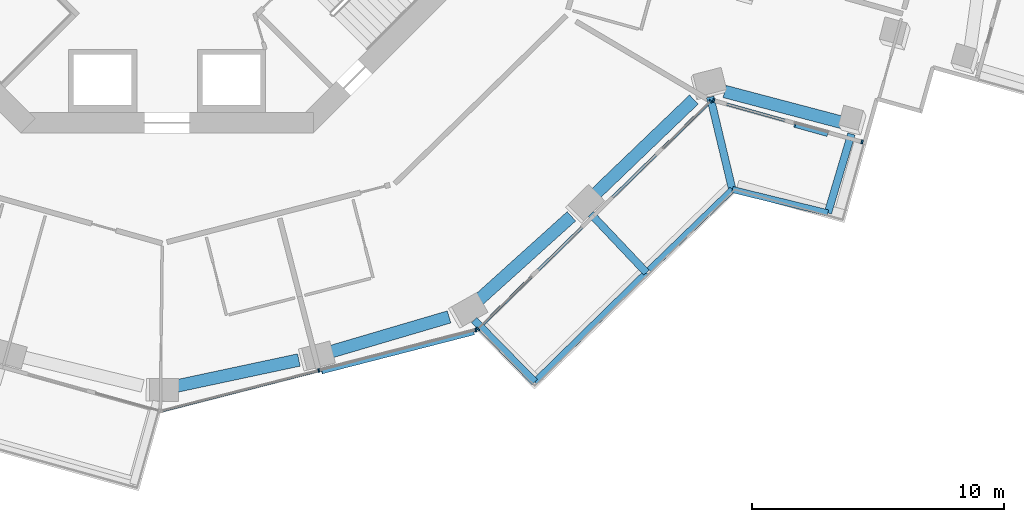
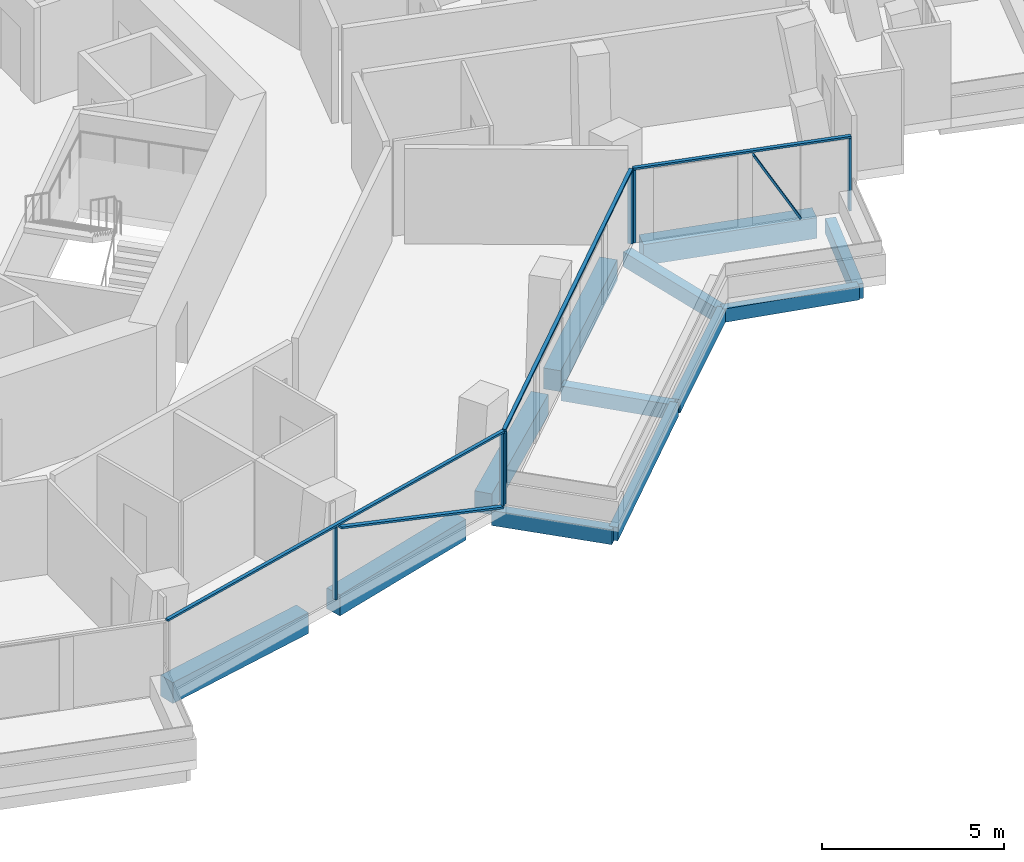
# One storey, part 5 of 26: 12 beams, 11 members, 3 elements without a shape of their own.
"""IFC4 building model written with IfcOpenShell, lengths in metres."""

import ifcopenshell
import ifcopenshell.guid

model = None  # the IFC model being written
_history = None  # IfcOwnerHistory: only IFC2X3 demands one
_inside = {}  # id of a spatial element -> (the spatial element, [elements in it])
_under = {}  # id of a project, library or spatial element -> (it, [spatial elements below it])
_declared = {}  # id of a project -> (the project, [libraries it declares])
_typed = {}  # id of a type object -> (the type object, [elements of that type])
_made_of = {}  # id of a material, layer set ... -> (it, [elements and type objects made of it])


def new_model(schema):
    """Start an empty IFC model of exactly this schema.

    Asked for "IFC4X3", IfcOpenShell would pick the latest addendum, in which some entities
    have other attributes; the version numbers below select the first issue.
    IFC2X3 requires an IfcOwnerHistory on every rooted entity: one is made here for all.
    """
    global model, _history
    if schema == "IFC4X3":
        model = ifcopenshell.file(schema_version=(4, 3, 0, 0))
    else:
        model = ifcopenshell.file(schema=schema)
    _inside.clear()
    _under.clear()
    _declared.clear()
    _typed.clear()
    _made_of.clear()
    _history = None
    if model.schema == "IFC2X3":
        org = make("IfcOrganization", Name="unknown")
        user = make(
            "IfcPersonAndOrganization",
            ThePerson=make("IfcPerson", FamilyName="unknown"),
            TheOrganization=org,
        )
        app = make(
            "IfcApplication",
            ApplicationDeveloper=org,
            Version="unknown",
            ApplicationFullName="unknown",
            ApplicationIdentifier="unknown",
        )
        _history = make(
            "IfcOwnerHistory",
            OwningUser=user,
            OwningApplication=app,
            ChangeAction="ADDED",
            CreationDate=0,
        )
    return model


def make(cls, **values):
    """One entity of the class cls with the attributes given. An attribute that is None is left unset."""
    return model.create_entity(
        cls, **{name: value for name, value in values.items() if value is not None}
    )


def rooted(cls, **values):
    """An entity with a GlobalId (a new one), such as an element, a storey or a relation."""
    return make(cls, GlobalId=ifcopenshell.guid.new(), OwnerHistory=_history, **values)


def si_unit(unit_type, name, prefix=None):
    """IfcSIUnit, for example si_unit("LENGTHUNIT", "METRE", prefix="MILLI")."""
    return make("IfcSIUnit", UnitType=unit_type, Prefix=prefix, Name=name)


def assignment(units):
    """IfcUnitAssignment: the units of a project."""
    return None if units is None else make("IfcUnitAssignment", Units=units)


def point(xyz):
    """IfcCartesianPoint."""
    return None if xyz is None else make("IfcCartesianPoint", Coordinates=xyz)


def direction(xyz):
    """IfcDirection."""
    return None if xyz is None else make("IfcDirection", DirectionRatios=xyz)


def frame(location, z_axis=None, x_axis=None):
    """IfcAxis2Placement3D, a coordinate frame: its origin and axes. An axis left out is left unset."""
    return make(
        "IfcAxis2Placement3D",
        Location=point(location),
        Axis=direction(z_axis),
        RefDirection=direction(x_axis),
    )


def frame_2d(location, x_axis=None):
    """IfcAxis2Placement2D, a coordinate frame in the plane: its origin and x axis."""
    return make(
        "IfcAxis2Placement2D", Location=point(location), RefDirection=direction(x_axis)
    )


def origin():
    """The frame at (0, 0, 0) with its axes left unset."""
    return frame((0.0, 0.0, 0.0))


def origin_2d():
    """The frame at (0, 0) in the plane with its x axis left unset."""
    return frame_2d((0.0, 0.0))


def place(relative_to, where):
    """IfcLocalPlacement: puts the frame where relative to a parent placement (None: the world)."""
    return make(
        "IfcLocalPlacement", PlacementRelTo=relative_to, RelativePlacement=where
    )


def context(
    kind, dimensions, precision=None, world=None, true_north=None, identifier=None
):
    """IfcGeometricRepresentationContext, for example the 3D "Model" context."""
    return make(
        "IfcGeometricRepresentationContext",
        ContextIdentifier=identifier,
        ContextType=kind,
        CoordinateSpaceDimension=dimensions,
        Precision=precision,
        WorldCoordinateSystem=world,
        TrueNorth=true_north,
    )


def subcontext(parent, identifier, kind, view, scale=None):
    """IfcGeometricRepresentationSubContext, for example "Body" below "Model"."""
    return make(
        "IfcGeometricRepresentationSubContext",
        ContextIdentifier=identifier,
        ContextType=kind,
        ParentContext=parent,
        TargetScale=scale,
        TargetView=view,
    )


def project(units=None, contexts=None):
    """IfcProject with its units and contexts."""
    return rooted(
        "IfcProject",
        Name="project",
        RepresentationContexts=contexts,
        UnitsInContext=assignment(units),
    )


def spatial(cls, under=None, at=None, **own):
    """A site, building, storey or space (cls), placed at a placement, below another one or the project."""
    s = rooted(cls, ObjectPlacement=at, **own)
    if under is not None:
        _under.setdefault(under.id(), (under, []))[1].append(s)
    return s


def profile(cls, at=None, kind="AREA", **sizes):
    """A parametric profile (cls). Its sizes go by their IFC names, for example OverallWidth=200.0."""
    return make(cls, ProfileType=kind, Position=at, **sizes)


def rectangle(**sizes):
    """IfcRectangleProfileDef."""
    return profile("IfcRectangleProfileDef", **sizes)


def extrude(swept, where, along, depth):
    """IfcExtrudedAreaSolid: the profile swept, set in the frame where, extruded along a direction by depth."""
    return make(
        "IfcExtrudedAreaSolid",
        SweptArea=swept,
        Position=where,
        ExtrudedDirection=direction(along),
        Depth=depth,
    )


def shape(context_of_items, identifier, shape_type, items):
    """IfcShapeRepresentation: the items that make up one representation, for example the "Body"."""
    return make(
        "IfcShapeRepresentation",
        ContextOfItems=context_of_items,
        RepresentationIdentifier=identifier,
        RepresentationType=shape_type,
        Items=items,
    )


def material(Name=None, Category=None):
    """IfcMaterial."""
    return make("IfcMaterial", Name=Name, Category=Category)


def layer(
    of_material, thickness, ventilated=None, Name=None, Category=None, Priority=None
):
    """IfcMaterialLayer: one layer of a wall or slab, of a material (None: an air gap)."""
    return make(
        "IfcMaterialLayer",
        Material=of_material,
        LayerThickness=thickness,
        IsVentilated=ventilated,
        Name=Name,
        Category=Category,
        Priority=Priority,
    )


def layer_set(layers, Name=None):
    """IfcMaterialLayerSet."""
    return make("IfcMaterialLayerSet", MaterialLayers=layers, LayerSetName=Name)


def material_profile(
    of_material, cross_section, Name=None, Category=None, Priority=None
):
    """IfcMaterialProfile: a cross section and its material."""
    return make(
        "IfcMaterialProfile",
        Name=Name,
        Material=of_material,
        Profile=cross_section,
        Priority=Priority,
        Category=Category,
    )


def profile_set(profiles, Name=None, composite=None):
    """IfcMaterialProfileSet."""
    return make(
        "IfcMaterialProfileSet",
        Name=Name,
        MaterialProfiles=profiles,
        CompositeProfile=composite,
    )


def made_of(thing, what):
    """Note that an element or type object is made of a material, layer set ...; save() writes the relation."""
    if what is not None:
        _made_of.setdefault(what.id(), (what, []))[1].append(thing)
    return thing


def type_object(cls, material=None, **own):
    """A type object (cls), such as IfcWallType, which elements share."""
    return made_of(rooted(cls, **own), material)


def element(
    cls,
    number,
    at=None,
    inside=None,
    cuts=None,
    type_object=None,
    material=None,
    context=None,
    identifier="Body",
    shape_type=None,
    held_by="IfcProductDefinitionShape",
    body=None,
    shapes=None,
    **own,
):
    """One element of the class cls, such as IfcWall. Its Tag is "e" and its number.

    at: its placement. inside: the storey or other place that contains it. cuts: it is an
    opening in that element (IfcRelVoidsElement). A single representation is given by context,
    identifier, shape_type and body (its items); several are given by shapes. held_by: the class
    of the entity that holds the representations. save() writes the other relations.
    """
    e = rooted(cls, Tag="e%d" % number, ObjectPlacement=at, **own)
    if body is not None:
        shapes = [shape(context, identifier, shape_type, body)]
    if shapes is not None:
        e.Representation = make(held_by, Representations=shapes)
    if inside is not None:
        _inside.setdefault(inside.id(), (inside, []))[1].append(e)
    if cuts is not None:
        rooted(
            "IfcRelVoidsElement", RelatingBuildingElement=cuts, RelatedOpeningElement=e
        )
    if type_object is not None:
        _typed.setdefault(type_object.id(), (type_object, []))[1].append(e)
    return made_of(e, material)


def aggregate(whole, parts):
    """IfcRelAggregates: a whole, such as a stair, and the parts it consists of."""
    return rooted("IfcRelAggregates", RelatingObject=whole, RelatedObjects=parts)


def save(model, path):
    """Write the relations noted so far, then the file.

    IfcRelAggregates (storeys below a building ...), IfcRelContainedInSpatialStructure (elements
    in a storey), IfcRelDefinesByType, IfcRelAssociatesMaterial and IfcRelDeclares: one each for
    every whole, place, type object, material and project.
    """
    for whole, parts in _under.values():
        aggregate(whole, parts)
    for where, things in _inside.values():
        rooted(
            "IfcRelContainedInSpatialStructure",
            RelatedElements=things,
            RelatingStructure=where,
        )
    for kind, things in _typed.values():
        rooted("IfcRelDefinesByType", RelatedObjects=things, RelatingType=kind)
    for what, things in _made_of.values():
        rooted("IfcRelAssociatesMaterial", RelatedObjects=things, RelatingMaterial=what)
    for by, libraries in _declared.values():
        rooted("IfcRelDeclares", RelatingContext=by, RelatedDefinitions=libraries)
    model.write(path)


model = new_model("IFC4")

# Units and contexts
model_context = context("Model", 3, precision=1e-05, world=origin(), true_north=direction((0.0, 1.0)))
body_context = subcontext(model_context, "Body", "Model", "MODEL_VIEW")
ifc_project = project(units=[si_unit("LENGTHUNIT", "METRE"), si_unit("AREAUNIT", "SQUARE_METRE"), si_unit("VOLUMEUNIT", "CUBIC_METRE"), si_unit("PLANEANGLEUNIT", "RADIAN"), si_unit("MASSUNIT", "GRAM", prefix="KILO")], contexts=[model_context])

# Site, building, storey
site_placement = place(None, origin())
site = spatial("IfcSite", under=ifc_project, at=site_placement, CompositionType="ELEMENT")
building_placement = place(site_placement, origin())
building = spatial("IfcBuilding", under=site, at=building_placement, Name="Verdalira Terraces Hotel", CompositionType="ELEMENT")
storey_placement = place(building_placement, frame((0.0, 0.0, 93.0)))
storey = spatial("IfcBuildingStorey", under=building, at=storey_placement, Name="L21", CompositionType="ELEMENT", Elevation=93.0)

# Beams
ifc_material_1 = material(Name="Concrete C40", Category="concrete")
ifc_material_profile_1 = material_profile(ifc_material_1, rectangle(XDim=0.300049, YDim=0.5, at=origin_2d()), Name="RC 300X500")
ifc_profile_set_1 = profile_set([ifc_material_profile_1], Name="Concrete C40")
beam_type_1 = type_object("IfcBeamType", Name="Balcony cantilever beam RC 300X500 C40", PredefinedType="BEAM", material=ifc_profile_set_1)
beam_1_placement = place(storey_placement, frame((12.172363, -21.428711, -0.560059), z_axis=(0.699633116, -0.714502276, 0.0), x_axis=(0.714502276, 0.699633116, 0.0)))
element("IfcBeam", 1, at=beam_1_placement, inside=storey, type_object=beam_type_1, Name="Balcony cantilever beam R27-1", PredefinedType="BEAM", context=body_context, shape_type="SweptSolid", body=[
    extrude(rectangle(XDim=0.300049, YDim=0.5, at=origin_2d()), origin(), (0.0, 0.0, 1.0), 3.431641),
])
beam_2_placement = place(storey_placement, frame((16.802002, -17.218506, -0.560059), z_axis=(0.687585965, -0.726102982, 0.0), x_axis=(0.726102982, 0.687585965, 0.0)))
element("IfcBeam", 2, at=beam_2_placement, inside=storey, type_object=beam_type_1, Name="Balcony cantilever beam R27-2", PredefinedType="BEAM", context=body_context, shape_type="SweptSolid", body=[
    extrude(rectangle(XDim=0.300049, YDim=0.5, at=origin_2d()), origin(), (0.0, 0.0, 1.0), 3.200928),
])
beam_3_placement = place(storey_placement, frame((21.530762, -12.58252, -0.560059), z_axis=(0.23243471, -0.972612002, 0.0), x_axis=(0.972612002, 0.23243471, 0.0)))
element("IfcBeam", 3, at=beam_3_placement, inside=storey, type_object=beam_type_1, Name="Balcony cantilever beam R27-3", PredefinedType="BEAM", context=body_context, shape_type="SweptSolid", body=[
    extrude(rectangle(XDim=0.300049, YDim=0.5, at=origin_2d()), origin(), (0.0, 0.0, 1.0), 3.769775),
])
beam_4_placement = place(storey_placement, frame((27.126221, -14.047119, -0.560059), z_axis=(-0.284994403, -0.958529181, 0.0), x_axis=(0.958529181, -0.284994403, 0.0)))
element("IfcBeam", 4, at=beam_4_placement, inside=storey, type_object=beam_type_1, Name="Balcony cantilever beam R27-4", PredefinedType="BEAM", context=body_context, shape_type="SweptSolid", body=[
    extrude(rectangle(XDim=0.300049, YDim=0.5, at=origin_2d()), origin(), (0.0, 0.0, 1.0), 3.265625),
])
ifc_material_2 = material(Name="Concrete C40", Category="concrete")
ifc_material_profile_2 = material_profile(ifc_material_2, rectangle(XDim=0.25, YDim=0.449951, at=origin_2d()), Name="RC 250X450")
ifc_profile_set_2 = profile_set([ifc_material_profile_2], Name="Concrete C40")
beam_type_2 = type_object("IfcBeamType", Name="Balcony edge beam RC 250X450 C40", PredefinedType="BEAM", material=ifc_profile_set_2)
beam_5_placement = place(storey_placement, frame((14.573242, -23.880615, -0.534912), z_axis=(0.714471056, 0.699664998, 0.0), x_axis=(-0.699664998, 0.714471056, 0.0)))
element("IfcBeam", 5, at=beam_5_placement, inside=storey, type_object=beam_type_2, Name="Balcony edge beam R27-1", PredefinedType="BEAM", context=body_context, shape_type="SweptSolid", body=[
    extrude(rectangle(XDim=0.25, YDim=0.449951, at=origin_2d()), origin(), (0.0, 0.0, 1.0), 6.199951),
])
beam_6_placement = place(storey_placement, frame((19.110596, -19.438477, -0.534912), z_axis=(0.718667349, 0.69535404, 0.0), x_axis=(-0.69535404, 0.718667349, 0.0)))
element("IfcBeam", 6, at=beam_6_placement, inside=storey, type_object=beam_type_2, Name="Balcony edge beam R27-2", PredefinedType="BEAM", context=body_context, shape_type="SweptSolid", body=[
    extrude(rectangle(XDim=0.25, YDim=0.449951, at=origin_2d()), origin(), (0.0, 0.0, 1.0), 4.586914),
])
beam_7_placement = place(storey_placement, frame((22.406982, -16.249023, -0.534912), z_axis=(0.971273107, -0.237967544, 0.0), x_axis=(0.237967544, 0.971273107, 0.0)))
element("IfcBeam", 7, at=beam_7_placement, inside=storey, type_object=beam_type_2, Name="Balcony edge beam R27-3", PredefinedType="BEAM", context=body_context, shape_type="SweptSolid", body=[
    extrude(rectangle(XDim=0.25, YDim=0.449951, at=origin_2d()), origin(), (0.0, 0.0, 1.0), 3.900635),
])

# Curtain wall, members
ifc_material_3 = material(Name="Clear glass", Category="glass")
ifc_layer_1 = layer(ifc_material_3, 0.14990234375)
ifc_layer_set_1 = layer_set([ifc_layer_1], Name="CW1 curtain wall")
curtain_wall_type_1 = type_object("IfcCurtainWallType", Name="CW1 curtain wall", PredefinedType="NOTDEFINED", material=ifc_layer_set_1)
curtain_wall_1_placement = place(storey_placement, origin())
curtain_wall_1 = element("IfcCurtainWall", 8, at=curtain_wall_1_placement, inside=storey, type_object=curtain_wall_type_1, Name="CW1 curtain wall L21 edge 26", PredefinedType="NOTDEFINED")
ifc_material_4 = material(Name="Terracotta frame", Category="masonry")
ifc_material_profile_3 = material_profile(ifc_material_4, rectangle(XDim=0.060059, YDim=0.149902, at=origin_2d()), Name="MU 60x150")
ifc_profile_set_3 = profile_set([ifc_material_profile_3], Name="Terracotta frame")
member_type_1 = type_object("IfcMemberType", Name="CW1 mullion 60x150", PredefinedType="MULLION", material=ifc_profile_set_3)
member_1_placement = place(storey_placement, frame((6.01416, -23.423584, 0.0), z_axis=(0.0, 0.0, 1.0), x_axis=(0.968583161, 0.248689887, 0.0)))
member_1 = element("IfcMember", 9, at=member_1_placement, type_object=member_type_1, Name="CW1 mullion", PredefinedType="MULLION", context=body_context, shape_type="SweptSolid", body=[
    extrude(rectangle(XDim=0.060059, YDim=0.149902, at=origin_2d()), origin(), (0.0, 0.0, 1.0), 2.425049),
])
member_2_placement = place(storey_placement, frame((12.241943, -21.824463, 0.0), z_axis=(0.0, 0.0, 1.0), x_axis=(0.968583161, 0.248689887, 0.0)))
member_2 = element("IfcMember", 10, at=member_2_placement, type_object=member_type_1, Name="CW1 mullion", PredefinedType="MULLION", context=body_context, shape_type="SweptSolid", body=[
    extrude(rectangle(XDim=0.060059, YDim=0.149902, at=origin_2d()), origin(), (0.0, 0.0, 1.0), 2.425049),
])

curtain_wall_2_placement = place(storey_placement, origin())
curtain_wall_2 = element("IfcCurtainWall", 11, at=curtain_wall_2_placement, inside=storey, type_object=curtain_wall_type_1, Name="CW1 curtain wall L21 edge 27", PredefinedType="NOTDEFINED")
member_3_placement = place(storey_placement, frame((12.326172, -21.7771, 0.0), z_axis=(0.0, 0.0, 1.0), x_axis=(0.71447268, 0.699663341, 0.0)))
member_3 = element("IfcMember", 12, at=member_3_placement, type_object=member_type_1, Name="CW1 mullion", PredefinedType="MULLION", context=body_context, shape_type="SweptSolid", body=[
    extrude(rectangle(XDim=0.060059, YDim=0.149902, at=origin_2d()), origin(), (0.0, 0.0, 1.0), 2.425049),
])
member_4_placement = place(storey_placement, frame((21.542725, -12.751465, 0.0), z_axis=(0.0, 0.0, 1.0), x_axis=(0.71447268, 0.699663341, 0.0)))
member_4 = element("IfcMember", 13, at=member_4_placement, type_object=member_type_1, Name="CW1 mullion", PredefinedType="MULLION", context=body_context, shape_type="SweptSolid", body=[
    extrude(rectangle(XDim=0.060059, YDim=0.149902, at=origin_2d()), origin(), (0.0, 0.0, 1.0), 2.425049),
])

# Member
ifc_material_5 = material(Name="Terracotta frame", Category="masonry")
ifc_material_profile_4 = material_profile(ifc_material_5, rectangle(XDim=0.110107, YDim=0.064941, at=origin_2d()), Name="TR 65x110")
ifc_profile_set_4 = profile_set([ifc_material_profile_4], Name="Terracotta frame")
member_type_2 = type_object("IfcMemberType", Name="CW1 transom 65x110", PredefinedType="USERDEFINED", material=ifc_profile_set_4)
member_5_placement = place(storey_placement, frame((-0.242676, -25.030029, 2.45752), z_axis=(0.968584545, 0.248684498, 0.0), x_axis=(-0.248684498, 0.968584545, 0.0)))
member_5 = element("IfcMember", 14, at=member_5_placement, type_object=member_type_2, Name="CW1 transom", ObjectType="TRANSOM", PredefinedType="USERDEFINED", context=body_context, shape_type="SweptSolid", body=[
    extrude(rectangle(XDim=0.110107, YDim=0.064941, at=origin_2d()), origin(), (0.0, 0.0, 1.0), 12.919434),
])

member_6_placement = place(storey_placement, frame((12.304932, -21.798096, 2.45752), z_axis=(0.714462162, 0.69967408, 0.0), x_axis=(-0.69967408, 0.714462162, 0.0)))
member_6 = element("IfcMember", 15, at=member_6_placement, type_object=member_type_2, Name="CW1 transom", ObjectType="TRANSOM", PredefinedType="USERDEFINED", context=body_context, shape_type="SweptSolid", body=[
    extrude(rectangle(XDim=0.110107, YDim=0.064941, at=origin_2d()), origin(), (0.0, 0.0, 1.0), 12.959717),
])

aggregate(curtain_wall_2, [member_3, member_4, member_6])

# Curtain wall, members
ifc_material_6 = material(Name="Clear glass", Category="glass")
ifc_layer_2 = layer(ifc_material_6, 0.14990234375)
ifc_layer_set_2 = layer_set([ifc_layer_2], Name="CW2 curtain wall")
curtain_wall_type_2 = type_object("IfcCurtainWallType", Name="CW2 curtain wall", PredefinedType="NOTDEFINED", material=ifc_layer_set_2)
curtain_wall_3_placement = place(storey_placement, origin())
curtain_wall_3 = element("IfcCurtainWall", 16, at=curtain_wall_3_placement, inside=storey, type_object=curtain_wall_type_2, Name="CW2 curtain wall L21 edge 28", PredefinedType="NOTDEFINED")
ifc_material_7 = material(Name="Terracotta frame", Category="masonry")
ifc_material_profile_5 = material_profile(ifc_material_7, rectangle(XDim=0.070068, YDim=0.149902, at=origin_2d()), Name="MU 70x150")
ifc_profile_set_5 = profile_set([ifc_material_profile_5], Name="Terracotta frame")
member_type_3 = type_object("IfcMemberType", Name="CW2 mullion 70x150", PredefinedType="MULLION", material=ifc_profile_set_5)
member_7_placement = place(storey_placement, frame((21.670654, -12.721191, 0.0), z_axis=(0.0, 0.0, 1.0), x_axis=(0.963162567, -0.268919821, 0.0)))
member_7 = element("IfcMember", 17, at=member_7_placement, type_object=member_type_3, Name="CW2 mullion", PredefinedType="MULLION", context=body_context, shape_type="SweptSolid", body=[
    extrude(rectangle(XDim=0.070068, YDim=0.149902, at=origin_2d()), origin(), (0.0, 0.0, 1.0), 2.425049),
])
member_8_placement = place(storey_placement, frame((27.549805, -14.362793, 0.0), z_axis=(0.0, 0.0, 1.0), x_axis=(0.963162567, -0.268919821, 0.0)))
member_8 = element("IfcMember", 18, at=member_8_placement, type_object=member_type_3, Name="CW2 mullion", PredefinedType="MULLION", context=body_context, shape_type="SweptSolid", body=[
    extrude(rectangle(XDim=0.070068, YDim=0.149902, at=origin_2d()), origin(), (0.0, 0.0, 1.0), 2.425049),
])
ifc_material_8 = material(Name="Terracotta frame", Category="masonry")
ifc_material_profile_6 = material_profile(ifc_material_8, rectangle(XDim=0.11499, YDim=0.064941, at=origin_2d()), Name="TR 65x115")
ifc_profile_set_6 = profile_set([ifc_material_profile_6], Name="Terracotta frame")
member_type_4 = type_object("IfcMemberType", Name="CW2 transom 65x115", PredefinedType="USERDEFINED", material=ifc_profile_set_6)
member_9_placement = place(storey_placement, frame((21.636963, -12.711914, 2.45752), z_axis=(0.963168677, -0.268897935, 0.0), x_axis=(0.268897935, 0.963168677, 0.0)))
member_9 = element("IfcMember", 19, at=member_9_placement, type_object=member_type_4, Name="CW2 transom", ObjectType="TRANSOM", PredefinedType="USERDEFINED", context=body_context, shape_type="SweptSolid", body=[
    extrude(rectangle(XDim=0.11499, YDim=0.064941, at=origin_2d()), origin(), (0.0, 0.0, 1.0), 6.173828),
])

# Member
ifc_material_9 = material(Name="Terracotta frame", Category="masonry")
ifc_material_profile_7 = material_profile(ifc_material_9, rectangle(XDim=0.149902, YDim=0.060059, at=origin_2d()), Name="GB 60x150")
ifc_profile_set_7 = profile_set([ifc_material_profile_7], Name="Terracotta frame")
member_type_5 = type_object("IfcMemberType", Name="Diagonal glazing bar 60x150", PredefinedType="USERDEFINED", material=ifc_profile_set_7)
member_10_placement = place(storey_placement, frame((6.138428, -23.483643, 2.39624), z_axis=(0.905206103, 0.232428691, -0.355779166), x_axis=(-0.248701197, 0.968580257, 0.0)))
member_10 = element("IfcMember", 20, at=member_10_placement, type_object=member_type_5, Name="Diagonal glazing bar", ObjectType="GLAZING BAR", PredefinedType="USERDEFINED", context=body_context, shape_type="SweptSolid", body=[
    extrude(rectangle(XDim=0.149902, YDim=0.060059, at=origin_2d()), origin(), (0.0, 0.0, 1.0), 6.654297),
])

aggregate(curtain_wall_1, [member_1, member_2, member_5, member_10])

member_11_placement = place(storey_placement, frame((24.878174, -13.711426, 2.377441), z_axis=(0.476539937, -0.133045069, -0.869027444), x_axis=(0.268906186, 0.963166374, 0.0)))
member_11 = element("IfcMember", 21, at=member_11_placement, type_object=member_type_5, Name="Diagonal glazing bar", ObjectType="GLAZING BAR", PredefinedType="USERDEFINED", context=body_context, shape_type="SweptSolid", body=[
    extrude(rectangle(XDim=0.149902, YDim=0.060059, at=origin_2d()), origin(), (0.0, 0.0, 1.0), 2.680908),
])

aggregate(curtain_wall_3, [member_7, member_8, member_9, member_11])

# Beams
ifc_material_10 = material(Name="Concrete C70", Category="concrete")
ifc_material_profile_8 = material_profile(ifc_material_10, rectangle(XDim=0.5, YDim=0.699951, at=origin_2d()), Name="RC 500X700")
ifc_profile_set_8 = profile_set([ifc_material_profile_8], Name="Concrete C70")
beam_type_3 = type_object("IfcBeamType", Name="Spandrel beam RC 500X700 C70", PredefinedType="SPANDREL", material=ifc_profile_set_8)
beam_8_placement = place(storey_placement, frame((0.320312, -24.051514, -0.659912), z_axis=(0.978055303, 0.208345446, 0.0), x_axis=(-0.208345446, 0.978055303, 0.0)))
element("IfcBeam", 22, at=beam_8_placement, inside=storey, type_object=beam_type_3, Name="Spandrel beam B17", PredefinedType="SPANDREL", context=body_context, shape_type="SweptSolid", body=[
    extrude(rectangle(XDim=0.5, YDim=0.699951, at=origin_2d()), origin(), (0.0, 0.0, 1.0), 5.015381),
])
beam_9_placement = place(storey_placement, frame((6.37207, -22.71582, -0.659912), z_axis=(0.959234317, 0.282611969, 0.0), x_axis=(-0.282611969, 0.959234317, 0.0)))
element("IfcBeam", 23, at=beam_9_placement, inside=storey, type_object=beam_type_3, Name="Spandrel beam B18", PredefinedType="SPANDREL", context=body_context, shape_type="SweptSolid", body=[
    extrude(rectangle(XDim=0.5, YDim=0.699951, at=origin_2d()), origin(), (0.0, 0.0, 1.0), 5.012207),
])
beam_10_placement = place(storey_placement, frame((12.302979, -20.668945, -0.659912), z_axis=(0.742880104, 0.669424493, 0.0), x_axis=(-0.669424493, 0.742880104, 0.0)))
element("IfcBeam", 24, at=beam_10_placement, inside=storey, type_object=beam_type_3, Name="Spandrel beam B19", PredefinedType="SPANDREL", context=body_context, shape_type="SweptSolid", body=[
    extrude(rectangle(XDim=0.5, YDim=0.699951, at=origin_2d()), origin(), (0.0, 0.0, 1.0), 5.015381),
])
beam_11_placement = place(storey_placement, frame((16.881104, -16.519287, -0.659912), z_axis=(0.721767306, 0.692135793, 0.0), x_axis=(-0.692135793, 0.721767306, 0.0)))
element("IfcBeam", 25, at=beam_11_placement, inside=storey, type_object=beam_type_3, Name="Spandrel beam B20", PredefinedType="SPANDREL", context=body_context, shape_type="SweptSolid", body=[
    extrude(rectangle(XDim=0.5, YDim=0.699951, at=origin_2d()), origin(), (0.0, 0.0, 1.0), 5.544922),
])
beam_12_placement = place(storey_placement, frame((22.101318, -12.36377, -0.659912), z_axis=(0.96702899, -0.254666315, 0.0), x_axis=(0.254666315, 0.96702899, 0.0)))
element("IfcBeam", 26, at=beam_12_placement, inside=storey, type_object=beam_type_3, Name="Spandrel beam B21", PredefinedType="SPANDREL", context=body_context, shape_type="SweptSolid", body=[
    extrude(rectangle(XDim=0.5, YDim=0.699951, at=origin_2d()), origin(), (0.0, 0.0, 1.0), 4.931396),
])

save(model, "model.ifc")
